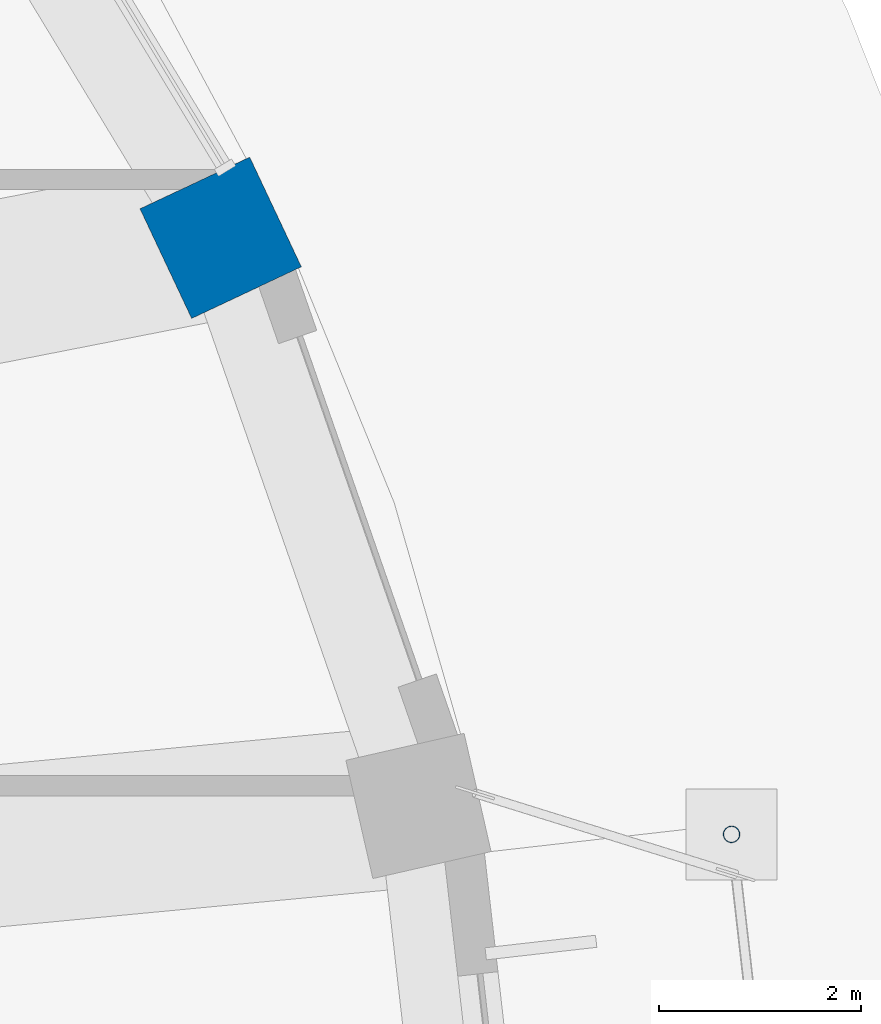
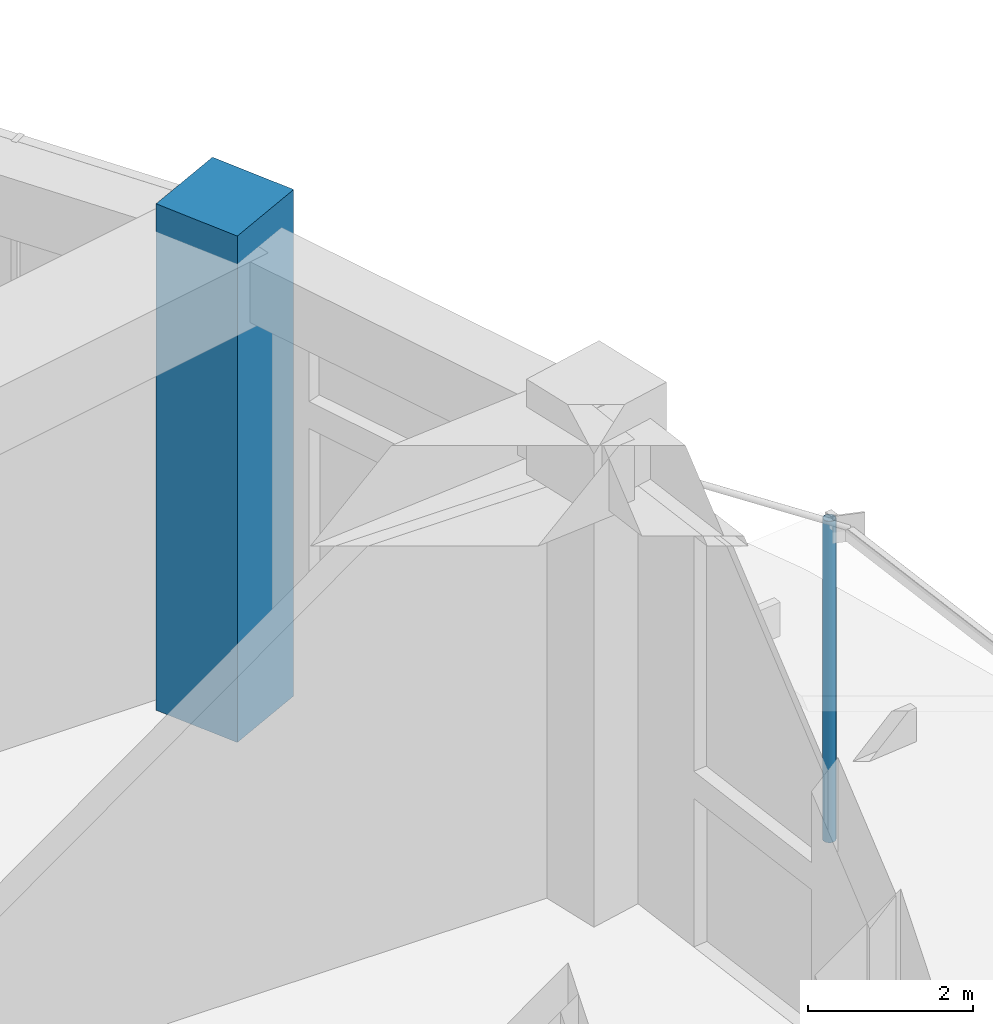
# One storey, part 15 of 60: 2 columns.
"""IFC4 building model written with IfcOpenShell, lengths in metres."""

from ifc_helpers import new_model, si_unit, direction, frame, origin, origin_2d, place, context, subcontext, project, spatial, rectangle, hollow_circle, extrude, material, material_profile, profile_set, type_object, element, save


model = new_model("IFC4")

# Units and contexts
model_context = context("Model", 3, precision=1e-05, world=origin(), true_north=direction((0.0, 1.0)))
body_context = subcontext(model_context, "Body", "Model", "MODEL_VIEW")
ifc_project = project(units=[si_unit("LENGTHUNIT", "METRE"), si_unit("AREAUNIT", "SQUARE_METRE"), si_unit("VOLUMEUNIT", "CUBIC_METRE"), si_unit("PLANEANGLEUNIT", "RADIAN"), si_unit("MASSUNIT", "GRAM", prefix="KILO")], contexts=[model_context])

# Site, building, storey
site_placement = place(None, origin())
site = spatial("IfcSite", under=ifc_project, at=site_placement, CompositionType="ELEMENT")
building_placement = place(site_placement, origin())
building = spatial("IfcBuilding", under=site, at=building_placement, Name="Taillehof Tower", CompositionType="ELEMENT")
storey_placement = place(building_placement, origin())
storey = spatial("IfcBuildingStorey", under=building, at=storey_placement, Name="L00", CompositionType="ELEMENT", Elevation=0.0)

# Columns
ifc_material_1 = material(Name="Steel S460M", Category="steel")
ifc_material_profile_1 = material_profile(ifc_material_1, hollow_circle(Radius=0.084228515625, WallThickness=0.008056640625, at=origin_2d()), Name="CHS 168.3x8")
ifc_profile_set_1 = profile_set([ifc_material_profile_1], Name="Steel S460M")
column_type_1 = type_object("IfcColumnType", Name="Canopy post CHS 168.3x8", PredefinedType="COLUMN", material=ifc_profile_set_1)
column_1_placement = place(storey_placement, frame((45.839599609375, 5.5185546875, -0.199951171875), z_axis=(0.0, 0.0, 1.0), x_axis=(1.0, 0.0, 0.0)))
element("IfcColumn", 1, at=column_1_placement, inside=storey, type_object=column_type_1, Name="Canopy post E18", PredefinedType="COLUMN", context=body_context, shape_type="SweptSolid", body=[
    extrude(hollow_circle(Radius=0.084228515625, WallThickness=0.008056640625, at=origin_2d()), origin(), (0.0, 0.0, 1.0), 4.7548828125),
])
ifc_material_2 = material(Name="Concrete C60/75", Category="concrete")
ifc_material_profile_2 = material_profile(ifc_material_2, rectangle(XDim=1.199951171875, YDim=1.199951171875, at=origin_2d()), Name="RC 1200x1200")
ifc_profile_set_2 = profile_set([ifc_material_profile_2], Name="Concrete C60/75")
column_type_2 = type_object("IfcColumnType", Name="Podium column C60/75 1200x1200", PredefinedType="COLUMN", material=ifc_profile_set_2)
column_2_placement = place(storey_placement, frame((40.78271484375, 11.423583984375, 0.0), z_axis=(0.0, 0.0, 1.0), x_axis=(0.904668034967, 0.426117057284, 0.0)))
element("IfcColumn", 2, at=column_2_placement, inside=storey, type_object=column_type_2, Name="Podium column PC03", PredefinedType="COLUMN", context=body_context, shape_type="SweptSolid", body=[
    extrude(rectangle(XDim=1.199951171875, YDim=1.199951171875, at=origin_2d()), origin(), (0.0, 0.0, 1.0), 7.5),
])

save(model, "model.ifc")
